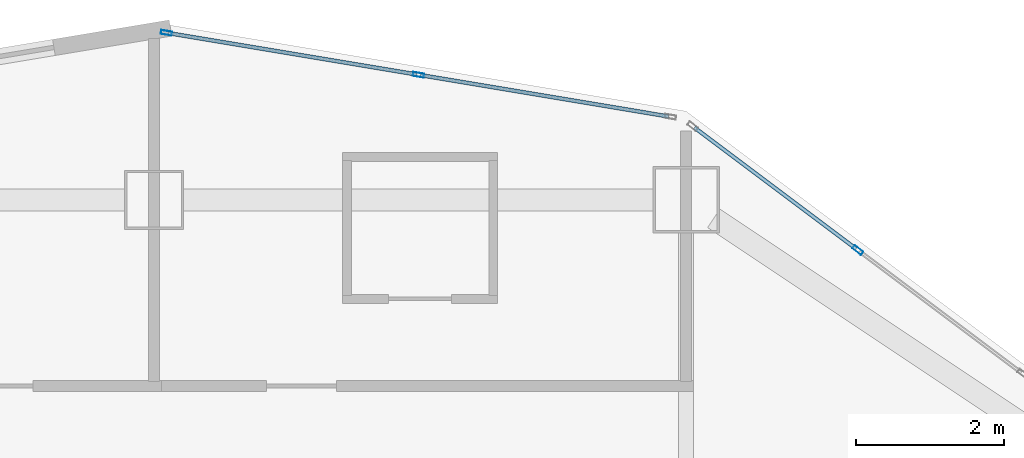
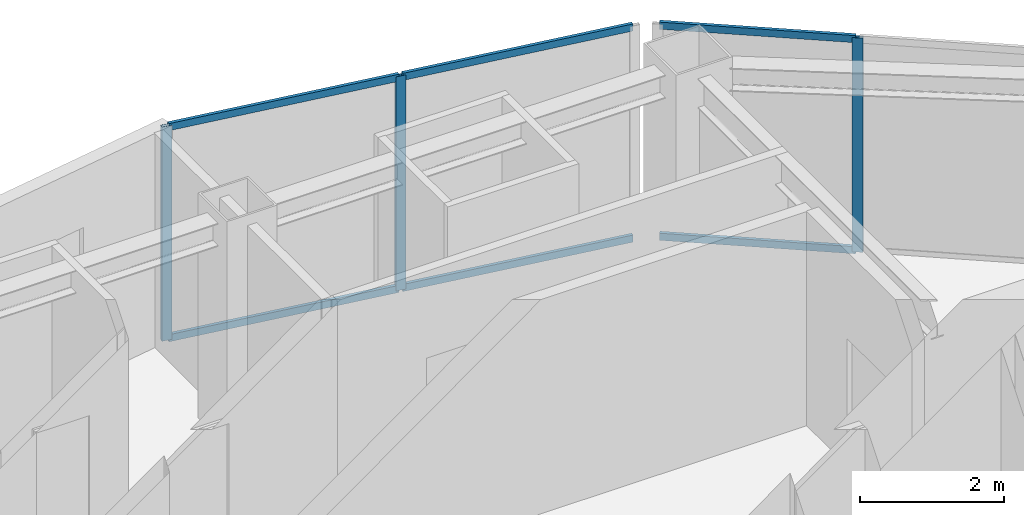
# One storey, part 2 of 11: 9 members, 2 elements without a shape of their own.
"""IFC4 building model written with IfcOpenShell, lengths in metres."""

from ifc_helpers import new_model, si_unit, direction, frame, origin, origin_2d, place, context, subcontext, project, spatial, hollow_rectangle, extrude, material, layer, layer_set, material_profile, profile_set, type_object, element, aggregate, save


model = new_model("IFC4")

# Units and contexts
model_context = context("Model", 3, precision=1e-05, world=origin(), true_north=direction((0.0, 1.0)))
body_context = subcontext(model_context, "Body", "Model", "MODEL_VIEW")
ifc_project = project(units=[si_unit("LENGTHUNIT", "METRE"), si_unit("AREAUNIT", "SQUARE_METRE"), si_unit("VOLUMEUNIT", "CUBIC_METRE"), si_unit("PLANEANGLEUNIT", "RADIAN"), si_unit("MASSUNIT", "GRAM", prefix="KILO")], contexts=[model_context])

# Site, building, storey
site_placement = place(None, origin())
site = spatial("IfcSite", under=ifc_project, at=site_placement, CompositionType="ELEMENT")
building_placement = place(site_placement, origin())
building = spatial("IfcBuilding", under=site, at=building_placement, Name="Haolan Belvedere Tower", CompositionType="ELEMENT")
storey_placement = place(building_placement, frame((0.0, 0.0, 188.0)))
storey = spatial("IfcBuildingStorey", under=building, at=storey_placement, Name="L47", CompositionType="ELEMENT", Elevation=188.0)

# Curtain wall, member
ifc_material_1 = material(Name="Anodised champagne-silver aluminium 6063-T6 and Low-E glass", Category="aluminium")
ifc_layer = layer(ifc_material_1, 0.14990234375, Name="Anodised champagne-silver aluminium 6063-T6 and Low-E glass")
ifc_layer_set = layer_set([ifc_layer], Name="Anodised champagne-silver aluminium 6063-T6 and Low-E glass")
curtain_wall_type = type_object("IfcCurtainWallType", Name="CW-SYS-04", PredefinedType="NOTDEFINED", material=ifc_layer_set)
curtain_wall_1_placement = place(storey_placement, origin())
curtain_wall_1 = element("IfcCurtainWall", 1, at=curtain_wall_1_placement, inside=storey, type_object=curtain_wall_type, Name="L47 CW-SYS-04 ribbon curtain wall 20.1", PredefinedType="NOTDEFINED")
ifc_material_2 = material(Name="Anodised aluminium 6063-T6", Category="aluminium")
ifc_material_profile_1 = material_profile(ifc_material_2, hollow_rectangle(XDim=0.055908203125, YDim=0.14990234375, WallThickness=0.00390625, at=origin_2d()), Name="Anodised aluminium 6063-T6")
ifc_profile_set_1 = profile_set([ifc_material_profile_1], Name="Anodised aluminium 6063-T6")
member_type_1 = type_object("IfcMemberType", Name="CW-SYS-04-MUL", PredefinedType="MULLION", material=ifc_profile_set_1)
member_1_placement = place(storey_placement, frame((47.9228515625, 49.720458984375, 0.0), z_axis=(0.0, 0.0, 1.0), x_axis=(-0.600002837806, -0.799997871638, 0.0)))
member_1 = element("IfcMember", 2, at=member_1_placement, type_object=member_type_1, Name="CW-04 mullion 2", PredefinedType="MULLION", context=body_context, shape_type="SweptSolid", body=[
    extrude(hollow_rectangle(XDim=0.055908203125, YDim=0.14990234375, WallThickness=0.00390625, at=origin_2d()), origin(), (0.0, 0.0, 1.0), 3.6201171875),
])

# Curtain wall, members
curtain_wall_2_placement = place(storey_placement, origin())
curtain_wall_2 = element("IfcCurtainWall", 3, at=curtain_wall_2_placement, inside=storey, type_object=curtain_wall_type, Name="L47 CW-SYS-04 ribbon curtain wall 21.1", PredefinedType="NOTDEFINED")
member_2_placement = place(storey_placement, frame((41.977783203125, 52.09228515625, 0.0), z_axis=(0.0, 0.0, 1.0), x_axis=(-0.164405962825, -0.98639276122, 0.0)))
member_2 = element("IfcMember", 4, at=member_2_placement, type_object=member_type_1, Name="CW-04 mullion 2", PredefinedType="MULLION", context=body_context, shape_type="SweptSolid", body=[
    extrude(hollow_rectangle(XDim=0.055908203125, YDim=0.14990234375, WallThickness=0.00390625, at=origin_2d()), origin(), (0.0, 0.0, 1.0), 3.6201171875),
])
member_3_placement = place(storey_placement, frame((38.565673828125, 52.660888671875, 0.0), z_axis=(0.0, 0.0, 1.0), x_axis=(-0.164405962825, -0.98639276122, 0.0)))
member_3 = element("IfcMember", 5, at=member_3_placement, type_object=member_type_1, Name="CW-04 mullion 3", PredefinedType="MULLION", context=body_context, shape_type="SweptSolid", body=[
    extrude(hollow_rectangle(XDim=0.055908203125, YDim=0.14990234375, WallThickness=0.00390625, at=origin_2d()), origin(), (0.0, 0.0, 1.0), 3.6201171875),
])

# Member
ifc_material_profile_2 = material_profile(ifc_material_2, hollow_rectangle(XDim=0.052001953125, YDim=0.1201171875, WallThickness=0.00390625, at=origin_2d()), Name="Anodised aluminium 6063-T6")
ifc_profile_set_2 = profile_set([ifc_material_profile_2], Name="Anodised aluminium 6063-T6")
member_type_2 = type_object("IfcMemberType", Name="CW-SYS-04-TRN", PredefinedType="USERDEFINED", material=ifc_profile_set_2)
member_4_placement = place(storey_placement, frame((47.900390625, 49.7373046875, 0.02587890625), z_axis=(-0.799978576274, 0.600028563905, 0.0), x_axis=(-0.600028563905, -0.799978576274, 0.0)))
member_4 = element("IfcMember", 6, at=member_4_placement, type_object=member_type_2, Name="CW-04 transom 2.1", ObjectType="TRANSOM", PredefinedType="USERDEFINED", context=body_context, shape_type="SweptSolid", body=[
    extrude(hollow_rectangle(XDim=0.052001953125, YDim=0.1201171875, WallThickness=0.00390625, at=origin_2d()), origin(), (0.0, 0.0, 1.0), 2.735107421875),
])

member_5_placement = place(storey_placement, frame((47.900390625, 49.7373046875, 3.593994140625), z_axis=(-0.799978576274, 0.600028563905, 0.0), x_axis=(-0.600028563905, -0.799978576274, 0.0)))
member_5 = element("IfcMember", 7, at=member_5_placement, type_object=member_type_2, Name="CW-04 transom 2.2", ObjectType="TRANSOM", PredefinedType="USERDEFINED", context=body_context, shape_type="SweptSolid", body=[
    extrude(hollow_rectangle(XDim=0.052001953125, YDim=0.1201171875, WallThickness=0.00390625, at=origin_2d()), origin(), (0.0, 0.0, 1.0), 2.735107421875),
])

aggregate(curtain_wall_1, [member_1, member_4, member_5])

member_6_placement = place(storey_placement, frame((45.362060546875, 51.528076171875, 0.02587890625), z_axis=(-0.986388106252, 0.164433888976, 0.0), x_axis=(-0.164433888976, -0.986388106252, 0.0)))
member_6 = element("IfcMember", 8, at=member_6_placement, type_object=member_type_2, Name="CW-04 transom 1.1", ObjectType="TRANSOM", PredefinedType="USERDEFINED", context=body_context, shape_type="SweptSolid", body=[
    extrude(hollow_rectangle(XDim=0.052001953125, YDim=0.1201171875, WallThickness=0.00390625, at=origin_2d()), origin(), (0.0, 0.0, 1.0), 3.403076171875),
])

member_7_placement = place(storey_placement, frame((45.362060546875, 51.528076171875, 3.593994140625), z_axis=(-0.986388106252, 0.164433888976, 0.0), x_axis=(-0.164433888976, -0.986388106252, 0.0)))
member_7 = element("IfcMember", 9, at=member_7_placement, type_object=member_type_2, Name="CW-04 transom 1.2", ObjectType="TRANSOM", PredefinedType="USERDEFINED", context=body_context, shape_type="SweptSolid", body=[
    extrude(hollow_rectangle(XDim=0.052001953125, YDim=0.1201171875, WallThickness=0.00390625, at=origin_2d()), origin(), (0.0, 0.0, 1.0), 3.403076171875),
])

member_8_placement = place(storey_placement, frame((41.9501953125, 52.096923828125, 0.02587890625), z_axis=(-0.986401678227, 0.164352454169, 0.0), x_axis=(-0.164352454169, -0.986401678227, 0.0)))
member_8 = element("IfcMember", 10, at=member_8_placement, type_object=member_type_2, Name="CW-04 transom 2.1", ObjectType="TRANSOM", PredefinedType="USERDEFINED", context=body_context, shape_type="SweptSolid", body=[
    extrude(hollow_rectangle(XDim=0.052001953125, YDim=0.1201171875, WallThickness=0.00390625, at=origin_2d()), origin(), (0.0, 0.0, 1.0), 3.4033203125),
])

member_9_placement = place(storey_placement, frame((41.9501953125, 52.096923828125, 3.593994140625), z_axis=(-0.986401678227, 0.164352454169, 0.0), x_axis=(-0.164352454169, -0.986401678227, 0.0)))
member_9 = element("IfcMember", 11, at=member_9_placement, type_object=member_type_2, Name="CW-04 transom 2.2", ObjectType="TRANSOM", PredefinedType="USERDEFINED", context=body_context, shape_type="SweptSolid", body=[
    extrude(hollow_rectangle(XDim=0.052001953125, YDim=0.1201171875, WallThickness=0.00390625, at=origin_2d()), origin(), (0.0, 0.0, 1.0), 3.4033203125),
])

aggregate(curtain_wall_2, [member_2, member_3, member_6, member_7, member_8, member_9])

save(model, "model.ifc")
